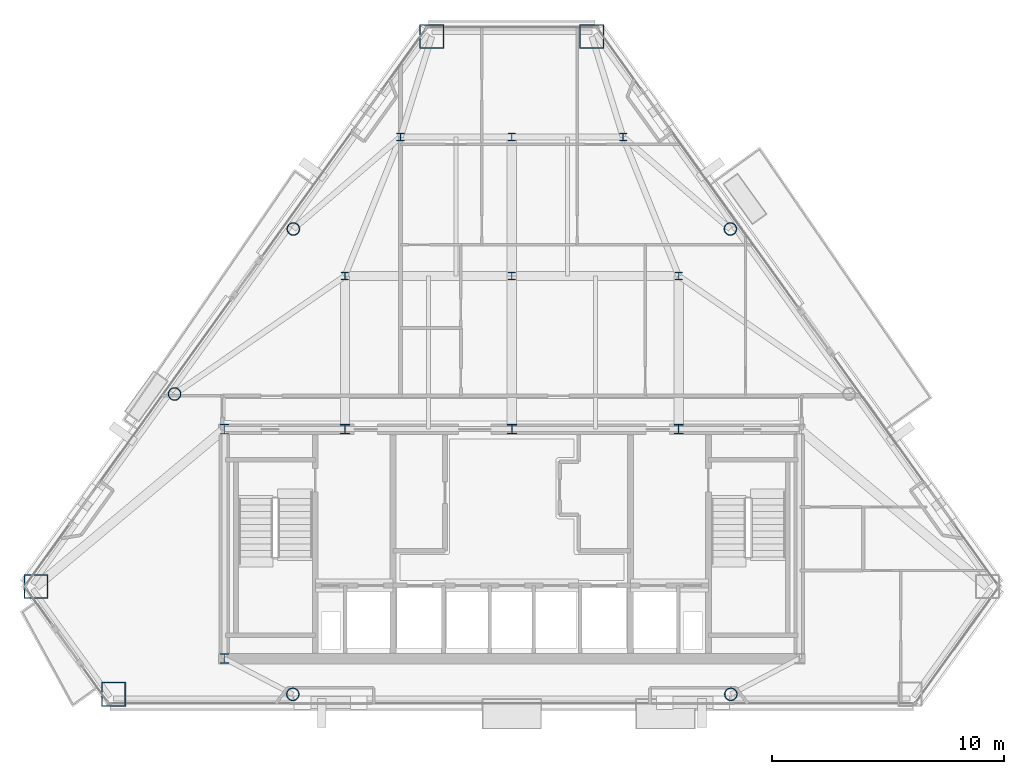
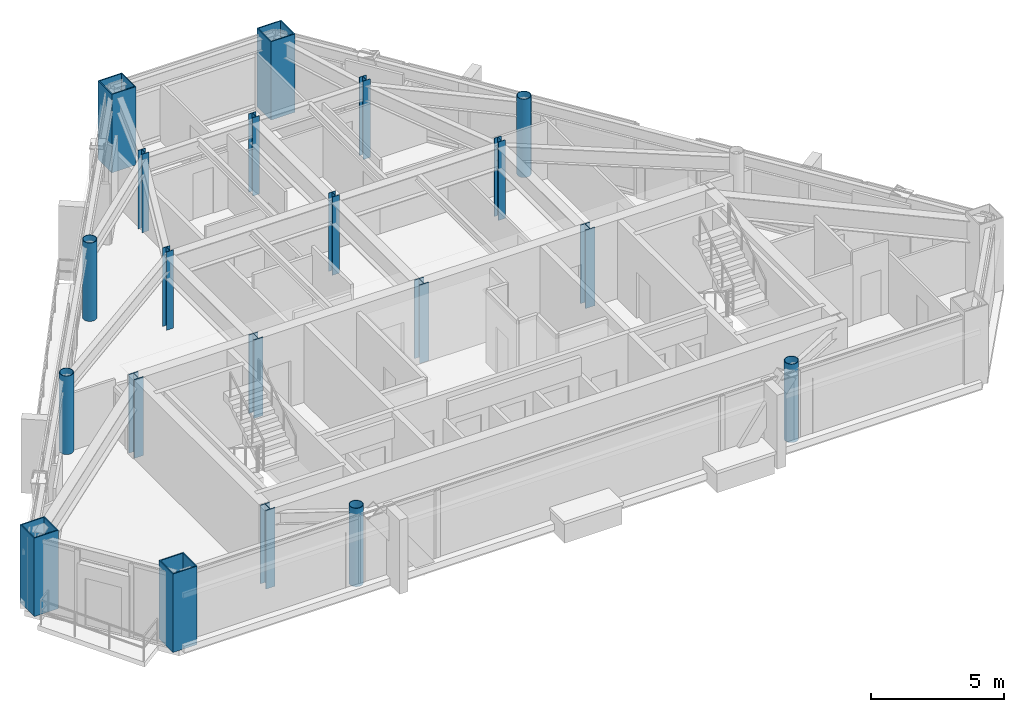
# One storey, part 1 of 11: 20 columns.
"""IFC4 building model written with IfcOpenShell, lengths in metres."""

import ifcopenshell
import ifcopenshell.guid

model = None  # the IFC model being written
_history = None  # IfcOwnerHistory: only IFC2X3 demands one
_inside = {}  # id of a spatial element -> (the spatial element, [elements in it])
_under = {}  # id of a project, library or spatial element -> (it, [spatial elements below it])
_declared = {}  # id of a project -> (the project, [libraries it declares])
_typed = {}  # id of a type object -> (the type object, [elements of that type])
_made_of = {}  # id of a material, layer set ... -> (it, [elements and type objects made of it])


def new_model(schema):
    """Start an empty IFC model of exactly this schema.

    Asked for "IFC4X3", IfcOpenShell would pick the latest addendum, in which some entities
    have other attributes; the version numbers below select the first issue.
    IFC2X3 requires an IfcOwnerHistory on every rooted entity: one is made here for all.
    """
    global model, _history
    if schema == "IFC4X3":
        model = ifcopenshell.file(schema_version=(4, 3, 0, 0))
    else:
        model = ifcopenshell.file(schema=schema)
    _inside.clear()
    _under.clear()
    _declared.clear()
    _typed.clear()
    _made_of.clear()
    _history = None
    if model.schema == "IFC2X3":
        org = make("IfcOrganization", Name="unknown")
        user = make(
            "IfcPersonAndOrganization",
            ThePerson=make("IfcPerson", FamilyName="unknown"),
            TheOrganization=org,
        )
        app = make(
            "IfcApplication",
            ApplicationDeveloper=org,
            Version="unknown",
            ApplicationFullName="unknown",
            ApplicationIdentifier="unknown",
        )
        _history = make(
            "IfcOwnerHistory",
            OwningUser=user,
            OwningApplication=app,
            ChangeAction="ADDED",
            CreationDate=0,
        )
    return model


def make(cls, **values):
    """One entity of the class cls with the attributes given. An attribute that is None is left unset."""
    return model.create_entity(
        cls, **{name: value for name, value in values.items() if value is not None}
    )


def rooted(cls, **values):
    """An entity with a GlobalId (a new one), such as an element, a storey or a relation."""
    return make(cls, GlobalId=ifcopenshell.guid.new(), OwnerHistory=_history, **values)


def si_unit(unit_type, name, prefix=None):
    """IfcSIUnit, for example si_unit("LENGTHUNIT", "METRE", prefix="MILLI")."""
    return make("IfcSIUnit", UnitType=unit_type, Prefix=prefix, Name=name)


def assignment(units):
    """IfcUnitAssignment: the units of a project."""
    return None if units is None else make("IfcUnitAssignment", Units=units)


def point(xyz):
    """IfcCartesianPoint."""
    return None if xyz is None else make("IfcCartesianPoint", Coordinates=xyz)


def direction(xyz):
    """IfcDirection."""
    return None if xyz is None else make("IfcDirection", DirectionRatios=xyz)


def frame(location, z_axis=None, x_axis=None):
    """IfcAxis2Placement3D, a coordinate frame: its origin and axes. An axis left out is left unset."""
    return make(
        "IfcAxis2Placement3D",
        Location=point(location),
        Axis=direction(z_axis),
        RefDirection=direction(x_axis),
    )


def frame_2d(location, x_axis=None):
    """IfcAxis2Placement2D, a coordinate frame in the plane: its origin and x axis."""
    return make(
        "IfcAxis2Placement2D", Location=point(location), RefDirection=direction(x_axis)
    )


def origin():
    """The frame at (0, 0, 0) with its axes left unset."""
    return frame((0.0, 0.0, 0.0))


def origin_2d():
    """The frame at (0, 0) in the plane with its x axis left unset."""
    return frame_2d((0.0, 0.0))


def place(relative_to, where):
    """IfcLocalPlacement: puts the frame where relative to a parent placement (None: the world)."""
    return make(
        "IfcLocalPlacement", PlacementRelTo=relative_to, RelativePlacement=where
    )


def context(
    kind, dimensions, precision=None, world=None, true_north=None, identifier=None
):
    """IfcGeometricRepresentationContext, for example the 3D "Model" context."""
    return make(
        "IfcGeometricRepresentationContext",
        ContextIdentifier=identifier,
        ContextType=kind,
        CoordinateSpaceDimension=dimensions,
        Precision=precision,
        WorldCoordinateSystem=world,
        TrueNorth=true_north,
    )


def subcontext(parent, identifier, kind, view, scale=None):
    """IfcGeometricRepresentationSubContext, for example "Body" below "Model"."""
    return make(
        "IfcGeometricRepresentationSubContext",
        ContextIdentifier=identifier,
        ContextType=kind,
        ParentContext=parent,
        TargetScale=scale,
        TargetView=view,
    )


def project(units=None, contexts=None):
    """IfcProject with its units and contexts."""
    return rooted(
        "IfcProject",
        Name="project",
        RepresentationContexts=contexts,
        UnitsInContext=assignment(units),
    )


def spatial(cls, under=None, at=None, **own):
    """A site, building, storey or space (cls), placed at a placement, below another one or the project."""
    s = rooted(cls, ObjectPlacement=at, **own)
    if under is not None:
        _under.setdefault(under.id(), (under, []))[1].append(s)
    return s


def profile(cls, at=None, kind="AREA", **sizes):
    """A parametric profile (cls). Its sizes go by their IFC names, for example OverallWidth=200.0."""
    return make(cls, ProfileType=kind, Position=at, **sizes)


def hollow_rectangle(**sizes):
    """IfcRectangleHollowProfileDef."""
    return profile("IfcRectangleHollowProfileDef", **sizes)


def hollow_circle(**sizes):
    """IfcCircleHollowProfileDef."""
    return profile("IfcCircleHollowProfileDef", **sizes)


def i_section(**sizes):
    """IfcIShapeProfileDef."""
    return profile("IfcIShapeProfileDef", **sizes)


def extrude(swept, where, along, depth):
    """IfcExtrudedAreaSolid: the profile swept, set in the frame where, extruded along a direction by depth."""
    return make(
        "IfcExtrudedAreaSolid",
        SweptArea=swept,
        Position=where,
        ExtrudedDirection=direction(along),
        Depth=depth,
    )


def shape(context_of_items, identifier, shape_type, items):
    """IfcShapeRepresentation: the items that make up one representation, for example the "Body"."""
    return make(
        "IfcShapeRepresentation",
        ContextOfItems=context_of_items,
        RepresentationIdentifier=identifier,
        RepresentationType=shape_type,
        Items=items,
    )


def material(Name=None, Category=None):
    """IfcMaterial."""
    return make("IfcMaterial", Name=Name, Category=Category)


def material_profile(
    of_material, cross_section, Name=None, Category=None, Priority=None
):
    """IfcMaterialProfile: a cross section and its material."""
    return make(
        "IfcMaterialProfile",
        Name=Name,
        Material=of_material,
        Profile=cross_section,
        Priority=Priority,
        Category=Category,
    )


def profile_set(profiles, Name=None, composite=None):
    """IfcMaterialProfileSet."""
    return make(
        "IfcMaterialProfileSet",
        Name=Name,
        MaterialProfiles=profiles,
        CompositeProfile=composite,
    )


def made_of(thing, what):
    """Note that an element or type object is made of a material, layer set ...; save() writes the relation."""
    if what is not None:
        _made_of.setdefault(what.id(), (what, []))[1].append(thing)
    return thing


def type_object(cls, material=None, **own):
    """A type object (cls), such as IfcWallType, which elements share."""
    return made_of(rooted(cls, **own), material)


def element(
    cls,
    number,
    at=None,
    inside=None,
    cuts=None,
    type_object=None,
    material=None,
    context=None,
    identifier="Body",
    shape_type=None,
    held_by="IfcProductDefinitionShape",
    body=None,
    shapes=None,
    **own,
):
    """One element of the class cls, such as IfcWall. Its Tag is "e" and its number.

    at: its placement. inside: the storey or other place that contains it. cuts: it is an
    opening in that element (IfcRelVoidsElement). A single representation is given by context,
    identifier, shape_type and body (its items); several are given by shapes. held_by: the class
    of the entity that holds the representations. save() writes the other relations.
    """
    e = rooted(cls, Tag="e%d" % number, ObjectPlacement=at, **own)
    if body is not None:
        shapes = [shape(context, identifier, shape_type, body)]
    if shapes is not None:
        e.Representation = make(held_by, Representations=shapes)
    if inside is not None:
        _inside.setdefault(inside.id(), (inside, []))[1].append(e)
    if cuts is not None:
        rooted(
            "IfcRelVoidsElement", RelatingBuildingElement=cuts, RelatedOpeningElement=e
        )
    if type_object is not None:
        _typed.setdefault(type_object.id(), (type_object, []))[1].append(e)
    return made_of(e, material)


def aggregate(whole, parts):
    """IfcRelAggregates: a whole, such as a stair, and the parts it consists of."""
    return rooted("IfcRelAggregates", RelatingObject=whole, RelatedObjects=parts)


def save(model, path):
    """Write the relations noted so far, then the file.

    IfcRelAggregates (storeys below a building ...), IfcRelContainedInSpatialStructure (elements
    in a storey), IfcRelDefinesByType, IfcRelAssociatesMaterial and IfcRelDeclares: one each for
    every whole, place, type object, material and project.
    """
    for whole, parts in _under.values():
        aggregate(whole, parts)
    for where, things in _inside.values():
        rooted(
            "IfcRelContainedInSpatialStructure",
            RelatedElements=things,
            RelatingStructure=where,
        )
    for kind, things in _typed.values():
        rooted("IfcRelDefinesByType", RelatedObjects=things, RelatingType=kind)
    for what, things in _made_of.values():
        rooted("IfcRelAssociatesMaterial", RelatedObjects=things, RelatingMaterial=what)
    for by, libraries in _declared.values():
        rooted("IfcRelDeclares", RelatingContext=by, RelatedDefinitions=libraries)
    model.write(path)


model = new_model("IFC4")

# Units and contexts
model_context = context("Model", 3, precision=1e-05, world=origin(), true_north=direction((0.0, 1.0)))
body_context = subcontext(model_context, "Body", "Model", "MODEL_VIEW")
ifc_project = project(units=[si_unit("LENGTHUNIT", "METRE"), si_unit("AREAUNIT", "SQUARE_METRE"), si_unit("VOLUMEUNIT", "CUBIC_METRE"), si_unit("PLANEANGLEUNIT", "RADIAN"), si_unit("MASSUNIT", "GRAM", prefix="KILO")], contexts=[model_context])

# Site, building, storey
site_placement = place(None, origin())
site = spatial("IfcSite", under=ifc_project, at=site_placement, CompositionType="ELEMENT")
building_placement = place(site_placement, origin())
building = spatial("IfcBuilding", under=site, at=building_placement, Name="Talgorran Terracotta Tower", CompositionType="ELEMENT")
storey_placement = place(building_placement, frame((0.0, 0.0, 196.5)))
storey = spatial("IfcBuildingStorey", under=building, at=storey_placement, Name="L51", CompositionType="ELEMENT", Elevation=196.5)

# Columns
ifc_material_1 = material(Name="Steel S355 (300PLUS)", Category="steel")
ifc_material_profile_1 = material_profile(ifc_material_1, i_section(OverallWidth=0.306884765625, OverallDepth=0.314453125, WebThickness=0.011962890625, FlangeThickness=0.018798828125, at=origin_2d()), Name="310UC118")
ifc_profile_set_1 = profile_set([ifc_material_profile_1], Name="Steel S355 (300PLUS)")
column_type_1 = type_object("IfcColumnType", Name="COL_310UC118", PredefinedType="COLUMN", material=ifc_profile_set_1)
for number, where, z_axis, x_axis, name in (
    (1, (-7.199951171875, 2.39990234375, 0.0), (0.0, 0.0, 1.0), (1.0, 0.0, 0.0), "L51 Interior Gravity Column IC1"),
    (2, (0.0, 2.39990234375, 0.0), (0.0, 0.0, 1.0), (1.0, 0.0, 0.0), "L51 Interior Gravity Column IC2"),
    (3, (7.199951171875, 2.39990234375, 0.0), (0.0, 0.0, 1.0), (1.0, 0.0, 0.0), "L51 Interior Gravity Column IC3"),
    (4, (-4.800048828125, 8.39990234375, 0.0), (0.0, 0.0, 1.0), (1.0, 0.0, 0.0), "L51 Interior Gravity Column IC4"),
    (5, (0.0, 8.39990234375, 0.0), (0.0, 0.0, 1.0), (1.0, 0.0, 0.0), "L51 Interior Gravity Column IC5"),
    (6, (4.800048828125, 8.39990234375, 0.0), (0.0, 0.0, 1.0), (1.0, 0.0, 0.0), "L51 Interior Gravity Column IC6"),
):
    element("IfcColumn", number, at=place(storey_placement, frame(where, z_axis=z_axis, x_axis=x_axis)), inside=storey, type_object=column_type_1, Name=name, PredefinedType="COLUMN", context=body_context, shape_type="SweptSolid", body=[
        extrude(i_section(OverallWidth=0.306884765625, OverallDepth=0.314453125, WebThickness=0.011962890625, FlangeThickness=0.018798828125, at=origin_2d()), origin(), (0.0, 0.0, 1.0), 3.60009765625),
    ])
ifc_material_profile_2 = material_profile(ifc_material_1, i_section(OverallWidth=0.39990234375, OverallDepth=0.43994140625, WebThickness=0.028076171875, FlangeThickness=0.0400390625, at=origin_2d()), Name="400WC328")
ifc_profile_set_2 = profile_set([ifc_material_profile_2], Name="Steel S355 (300PLUS)")
column_type_2 = type_object("IfcColumnType", Name="COL_400WC328", PredefinedType="COLUMN", material=ifc_profile_set_2)
for number, where, z_axis, x_axis, name in (
    (7, (-12.39990234375, -14.10009765625, 0.0), (0.0, 0.0, 1.0), (1.0, 0.0, 0.0), "L51 Core Boundary Column CC1"),
    (8, (-12.39990234375, -4.199951171875, 0.0), (0.0, 0.0, 1.0), (1.0, 0.0, 0.0), "L51 Core Boundary Column CC4"),
):
    element("IfcColumn", number, at=place(storey_placement, frame(where, z_axis=z_axis, x_axis=x_axis)), inside=storey, type_object=column_type_2, Name=name, PredefinedType="COLUMN", context=body_context, shape_type="SweptSolid", body=[
        extrude(i_section(OverallWidth=0.39990234375, OverallDepth=0.43994140625, WebThickness=0.028076171875, FlangeThickness=0.0400390625, at=origin_2d()), origin(), (0.0, 0.0, 1.0), 3.60009765625),
    ])
ifc_material_2 = material(Name="Steel Grade 350 (350L0)", Category="steel")
ifc_material_profile_3 = material_profile(ifc_material_2, hollow_rectangle(XDim=1.050048828125, YDim=1.050048828125, WallThickness=0.044921875, at=origin_2d()), Name="CFT1050X1050X45")
ifc_profile_set_3 = profile_set([ifc_material_profile_3], Name="Steel Grade 350 (350L0)")
column_type_3 = type_object("IfcColumnType", Name="COL_CFT_1050", PredefinedType="COLUMN", material=ifc_profile_set_3)
for number, where, z_axis, x_axis, name in (
    (9, (-20.524169921875, -10.9921875, 0.0), (0.0, 0.0, 1.0), (1.0, 0.0, 0.0), "L51 Corner CFT Mega-Column MC1"),
    (10, (-17.1796875, -15.64111328125, 0.0), (0.0, 0.0, 1.0), (1.0, 0.0, 0.0), "L51 Corner CFT Mega-Column MC2"),
    (11, (3.4521484375, 12.73876953125, 0.0), (0.0, 0.0, 1.0), (1.0, 0.0, 0.0), "L51 Corner CFT Mega-Column MC5"),
    (12, (-3.4521484375, 12.73876953125, 0.0), (0.0, 0.0, 1.0), (1.0, 0.0, 0.0), "L51 Corner CFT Mega-Column MC6"),
):
    element("IfcColumn", number, at=place(storey_placement, frame(where, z_axis=z_axis, x_axis=x_axis)), inside=storey, type_object=column_type_3, Name=name, PredefinedType="COLUMN", context=body_context, shape_type="SweptSolid", body=[
        extrude(hollow_rectangle(XDim=1.050048828125, YDim=1.050048828125, WallThickness=0.044921875, at=origin_2d()), origin(), (0.0, 0.0, 1.0), 3.60009765625),
    ])
ifc_material_profile_4 = material_profile(ifc_material_2, hollow_circle(Radius=0.27490234375, WallThickness=0.02392578125, at=origin_2d()), Name="CHS550X24")
ifc_profile_set_4 = profile_set([ifc_material_profile_4], Name="Steel Grade 350 (350L0)")
column_type_4 = type_object("IfcColumnType", Name="COL_CHS_550", PredefinedType="COLUMN", material=ifc_profile_set_4)
for number, where, z_axis, x_axis, name in (
    (13, (-9.44873046875, -15.64111328125, 0.0), (0.0, 0.0, 1.0), (1.0, 0.0, 0.0), "L51 Facet Perimeter Column FC1"),
    (14, (9.44873046875, -15.64111328125, 0.0), (0.0, 0.0, 1.0), (1.0, 0.0, 0.0), "L51 Facet Perimeter Column FC2"),
    (15, (9.42724609375, 4.43310546875, 0.0), (0.0, 0.0, 1.0), (1.0, 0.0, 0.0), "L51 Facet Perimeter Column FC4"),
    (16, (-9.42724609375, 4.43310546875, 0.0), (0.0, 0.0, 1.0), (1.0, 0.0, 0.0), "L51 Facet Perimeter Column FC5"),
    (17, (-14.548828125, -2.686279296875, 0.0), (0.0, 0.0, 1.0), (1.0, 0.0, 0.0), "L51 Facet Perimeter Column FC6"),
):
    element("IfcColumn", number, at=place(storey_placement, frame(where, z_axis=z_axis, x_axis=x_axis)), inside=storey, type_object=column_type_4, Name=name, PredefinedType="COLUMN", context=body_context, shape_type="SweptSolid", body=[
        extrude(hollow_circle(Radius=0.27490234375, WallThickness=0.02392578125, at=origin_2d()), origin(), (0.0, 0.0, 1.0), 3.60009765625),
    ])
ifc_material_profile_5 = material_profile(ifc_material_1, i_section(OverallWidth=0.405029296875, OverallDepth=0.4140625, WebThickness=0.02197265625, FlangeThickness=0.031982421875, at=origin_2d()), Name="400WC270")
ifc_profile_set_5 = profile_set([ifc_material_profile_5], Name="Steel S355 (300PLUS)")
column_type_5 = type_object("IfcColumnType", Name="COL_PIL_400WC270", PredefinedType="PILASTER", material=ifc_profile_set_5)
for number, where, z_axis, x_axis, name in (
    (18, (-7.199951171875, -4.199951171875, 0.0), (0.0, 0.0, 1.0), (1.0, 0.0, 0.0), "L51 Core Shear Pilaster CP1"),
    (19, (0.0, -4.199951171875, 0.0), (0.0, 0.0, 1.0), (1.0, 0.0, 0.0), "L51 Core Shear Pilaster CP2"),
    (20, (7.199951171875, -4.199951171875, 0.0), (0.0, 0.0, 1.0), (1.0, 0.0, 0.0), "L51 Core Shear Pilaster CP3"),
):
    element("IfcColumn", number, at=place(storey_placement, frame(where, z_axis=z_axis, x_axis=x_axis)), inside=storey, type_object=column_type_5, Name=name, PredefinedType="PILASTER", context=body_context, shape_type="SweptSolid", body=[
        extrude(i_section(OverallWidth=0.405029296875, OverallDepth=0.4140625, WebThickness=0.02197265625, FlangeThickness=0.031982421875, at=origin_2d()), origin(), (0.0, 0.0, 1.0), 3.60009765625),
    ])

save(model, "model.ifc")
